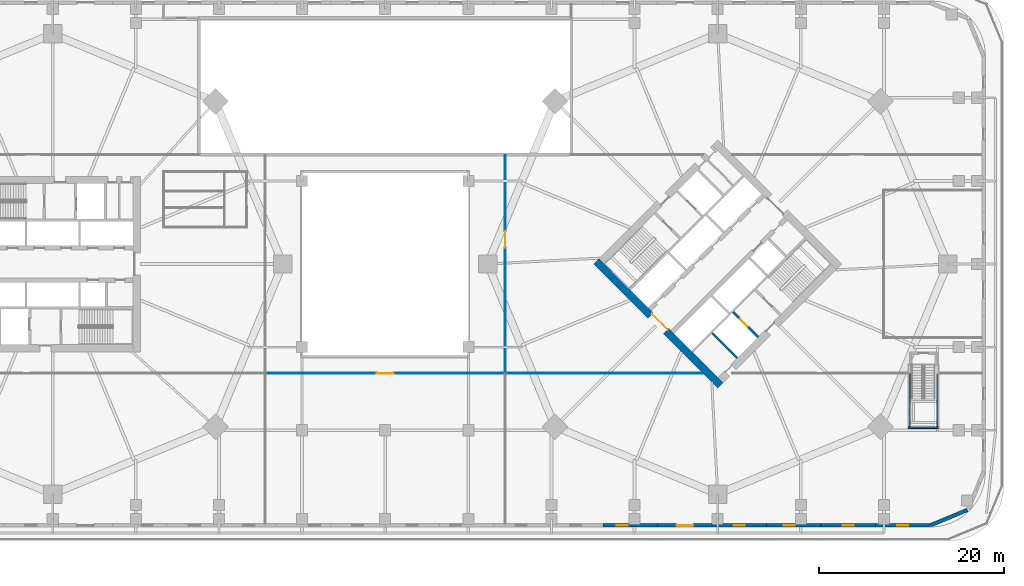
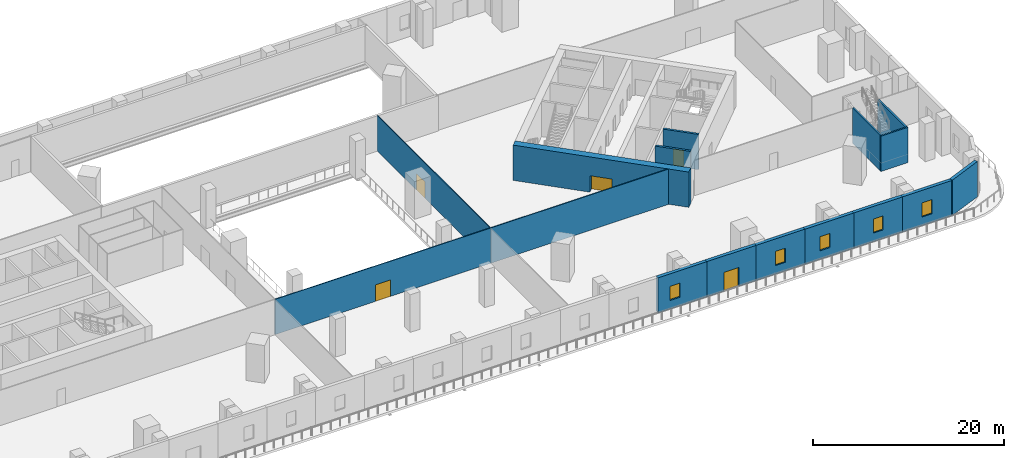
# One storey, part 8 of 17: 16 walls, 5 doors, 5 windows, 10 openings.
"""IFC4 building model written with IfcOpenShell, lengths in metres."""

from ifc_helpers import new_model, si_unit, direction, frame, frame_2d, origin, place, context, subcontext, project, spatial, rectangle, extrude, material, layer, layer_set, type_object, element, fill, save


model = new_model("IFC4")

# Units and contexts
model_context = context("Model", 3, precision=1e-05, world=origin(), true_north=direction((0.0, 1.0)))
body_context = subcontext(model_context, "Body", "Model", "MODEL_VIEW")
ifc_project = project(units=[si_unit("LENGTHUNIT", "METRE"), si_unit("AREAUNIT", "SQUARE_METRE"), si_unit("VOLUMEUNIT", "CUBIC_METRE"), si_unit("PLANEANGLEUNIT", "RADIAN"), si_unit("MASSUNIT", "GRAM", prefix="KILO")], contexts=[model_context])

# Site, building, storey
site_placement = place(None, origin())
site = spatial("IfcSite", under=ifc_project, at=site_placement, CompositionType="ELEMENT")
building_placement = place(site_placement, origin())
building = spatial("IfcBuilding", under=site, at=building_placement, Name="Ogive Gate Towers", CompositionType="ELEMENT")
storey_placement = place(building_placement, frame((0.0, 0.0, 18.0)))
storey = spatial("IfcBuildingStorey", under=building, at=storey_placement, Name="L03", CompositionType="ELEMENT", Elevation=18.0)

# Wall, opening, door
ifc_material_1 = material(Name="Concrete C60/75", Category="concrete")
ifc_layer_1 = layer(ifc_material_1, 0.800048828125)
ifc_layer_set_1 = layer_set([ifc_layer_1], Name="Core wall 800 mm")
wall_type_1 = type_object("IfcWallType", Name="Core wall 800 mm", PredefinedType="SHEAR", material=ifc_layer_set_1)
wall_1_placement = place(storey_placement, frame((36.28271484375, -13.152099609375, 0.0), z_axis=(0.0, 0.0, 1.0), x_axis=(-0.707106781187, 0.707106781187, 0.0)))
wall_1 = element("IfcWall", 1, at=wall_1_placement, inside=storey, type_object=wall_type_1, Name="T2 L03 Core wall 800 mm", PredefinedType="SHEAR", context=body_context, shape_type="SweptSolid", body=[
    extrude(rectangle(XDim=18.999755859375, YDim=0.800048828125, at=frame_2d((9.5, 0.0))), origin(), (0.0, 0.0, 1.0), 4.5),
])
opening_1_placement = place(wall_1_placement, frame((8.300048828125, 0.0, 0.0)))
opening_1 = element("IfcOpeningElement", 2, at=opening_1_placement, cuts=wall_1, Name="Opening KD-T2-L03-01", PredefinedType="OPENING", context=body_context, shape_type="SweptSolid", body=[
    extrude(rectangle(XDim=2.39990234375, YDim=2.10009765625, at=frame_2d((1.199951171875, 1.050048828125))), frame((0.0, 0.41015625, 0.0), z_axis=(0.0, -1.0, 0.0), x_axis=(1.0, 0.0, 0.0)), (0.0, 0.0, 1.0), 0.820068359375),
])
ifc_material_2 = material(Name="Steel fire door", Category="steel")
door_type_1 = type_object("IfcDoorType", Name="Core double door FD60S 2400 x 2100", OperationType="DOUBLE_DOOR_SINGLE_SWING", PredefinedType="DOOR", material=ifc_material_2)
door_1_placement = place(opening_1_placement, origin())
door_1 = element("IfcDoor", 3, at=door_1_placement, inside=storey, type_object=door_type_1, Name="T2 L03 Core door double", OperationType="DOUBLE_DOOR_SINGLE_SWING", OverallHeight=2.10009765625, OverallWidth=2.39990234375, PredefinedType="DOOR", context=body_context, shape_type="SweptSolid", body=[
    extrude(rectangle(XDim=2.39990234375, YDim=2.10009765625, at=frame_2d((1.199951171875, 1.050048828125))), frame((0.0, -0.22509765625, 0.0), z_axis=(0.0, -1.0, 0.0), x_axis=(1.0, 0.0, 0.0)), (0.0, 0.0, 1.0), 0.050048828125),
])
fill(opening_1, door_1)

ifc_material_3 = material(Name="Gypsum board partition")
ifc_layer_2 = layer(ifc_material_3, 0.10009765625)
ifc_layer_set_2 = layer_set([ifc_layer_2], Name="Partition wall 100")
wall_type_2 = type_object("IfcWallType", Name="Partition wall 100", PredefinedType="PARTITIONING", material=ifc_layer_set_2)
wall_2_placement = place(storey_placement, frame((13.0, -11.800048828125, 0.0), z_axis=(0.0, 0.0, 1.0), x_axis=(0.0, 1.0, 0.0)))
wall_2 = element("IfcWall", 4, at=wall_2_placement, inside=storey, type_object=wall_type_2, Name="L03 partition 025", PredefinedType="PARTITIONING", context=body_context, shape_type="SweptSolid", body=[
    extrude(rectangle(XDim=23.60009765625, YDim=0.10009765625, at=frame_2d((11.800048828125, 0.0))), origin(), (0.0, 0.0, 1.0), 4.5),
])
opening_2_placement = place(wall_2_placement, frame((13.550048828125, 0.0, 0.0)))
opening_2 = element("IfcOpeningElement", 5, at=opening_2_placement, cuts=wall_2, Name="Opening PO184", PredefinedType="OPENING", context=body_context, shape_type="SweptSolid", body=[
    extrude(rectangle(XDim=1.800048828125, YDim=2.10009765625, at=frame_2d((0.89990234375, 1.050048828125))), frame((0.0, 0.06005859375, 0.0), z_axis=(0.0, -1.0, 0.0), x_axis=(1.0, 0.0, 0.0)), (0.0, 0.0, 1.0), 0.1201171875),
])
ifc_material_4 = material(Name="Timber door", Category="wood")
door_type_2 = type_object("IfcDoorType", Name="Double door 1800 x 2100", OperationType="NOTDEFINED", PredefinedType="DOOR", material=ifc_material_4)
door_2_placement = place(opening_2_placement, origin())
door_2 = element("IfcDoor", 6, at=door_2_placement, inside=storey, type_object=door_type_2, Name="Door PO184", OperationType="DOUBLE_DOOR_DOUBLE_SWING", OverallHeight=2.10009765625, OverallWidth=1.800048828125, PredefinedType="DOOR", context=body_context, shape_type="SweptSolid", body=[
    extrude(rectangle(XDim=1.800048828125, YDim=2.10009765625, at=frame_2d((0.89990234375, 1.050048828125))), frame((0.0, 0.02490234375, 0.0), z_axis=(0.0, -1.0, 0.0), x_axis=(1.0, 0.0, 0.0)), (0.0, 0.0, 1.0), 0.050048828125),
])
fill(opening_2, door_2)

wall_3_placement = place(storey_placement, frame((-13.0, -11.85009765625, 0.0), z_axis=(0.0, 0.0, 1.0), x_axis=(1.0, 0.0, 0.0)))
wall_3 = element("IfcWall", 7, at=wall_3_placement, inside=storey, type_object=wall_type_2, Name="L03 partition 026", PredefinedType="PARTITIONING", context=body_context, shape_type="SweptSolid", body=[
    extrude(rectangle(XDim=26.0, YDim=0.10009765625, at=frame_2d((13.0, 0.0))), origin(), (0.0, 0.0, 1.0), 4.5),
])
opening_3_placement = place(wall_3_placement, frame((12.10009765625, 0.0, 0.0)))
opening_3 = element("IfcOpeningElement", 8, at=opening_3_placement, cuts=wall_3, Name="Opening PO194", PredefinedType="OPENING", context=body_context, shape_type="SweptSolid", body=[
    extrude(rectangle(XDim=1.800048828125, YDim=2.10009765625, at=frame_2d((0.89990234375, 1.050048828125))), frame((0.0, 0.06005859375, 0.0), z_axis=(0.0, -1.0, 0.0), x_axis=(1.0, 0.0, 0.0)), (0.0, 0.0, 1.0), 0.1201171875),
])
door_3_placement = place(opening_3_placement, origin())
door_3 = element("IfcDoor", 9, at=door_3_placement, inside=storey, type_object=door_type_2, Name="Door PO194", OperationType="DOUBLE_DOOR_DOUBLE_SWING", OverallHeight=2.10009765625, OverallWidth=1.800048828125, PredefinedType="DOOR", context=body_context, shape_type="SweptSolid", body=[
    extrude(rectangle(XDim=1.800048828125, YDim=2.10009765625, at=frame_2d((0.89990234375, 1.050048828125))), frame((0.0, 0.02490234375, 0.0), z_axis=(0.0, -1.0, 0.0), x_axis=(1.0, 0.0, 0.0)), (0.0, 0.0, 1.0), 0.050048828125),
])
fill(opening_3, door_3)

# Walls
wall_4_placement = place(storey_placement, frame((13.0, -11.85009765625, 0.0), z_axis=(0.0, 0.0, 1.0), x_axis=(1.0, 0.0, 0.0)))
element("IfcWall", 10, at=wall_4_placement, inside=storey, type_object=wall_type_2, Name="L03 partition 029", PredefinedType="PARTITIONING", context=body_context, shape_type="SweptSolid", body=[
    extrude(rectangle(XDim=21.4150390625, YDim=0.10009765625, at=frame_2d((10.70751953125, 0.0))), origin(), (0.0, 0.0, 1.0), 4.5),
])
ifc_material_5 = material(Name="Precast concrete C40/50", Category="concrete")
ifc_layer_3 = layer(ifc_material_5, 0.39990234375)
ifc_layer_set_3 = layer_set([ifc_layer_3], Name="Podium wall 400")
wall_type_3 = type_object("IfcWallType", Name="Podium wall 400", PredefinedType="SOLIDWALL", material=ifc_layer_set_3)
wall_5_placement = place(storey_placement, frame((59.036865234375, -28.284912109375, 0.0), z_axis=(0.0, 0.0, 1.0), x_axis=(0.923854820772, 0.382743086333, 0.0)))
element("IfcWall", 11, at=wall_5_placement, inside=storey, type_object=wall_type_3, Name="Podium wall", PredefinedType="SOLIDWALL", context=body_context, shape_type="SweptSolid", body=[
    extrude(rectangle(XDim=4.31640625, YDim=0.39990234375, at=frame_2d((2.158203125, 0.0))), origin(), (0.0, 0.0, 1.0), 4.5),
])

# Wall, opening, window
wall_6_placement = place(storey_placement, frame((23.60009765625, -28.300048828125, 0.0), z_axis=(0.0, 0.0, 1.0), x_axis=(1.0, 0.0, 0.0)))
wall_6 = element("IfcWall", 12, at=wall_6_placement, inside=storey, type_object=wall_type_3, Name="Podium wall", PredefinedType="SOLIDWALL", context=body_context, shape_type="SweptSolid", body=[
    extrude(rectangle(XDim=5.89990234375, YDim=0.39990234375, at=frame_2d((2.949951171875, 0.0))), origin(), (0.0, 0.0, 1.0), 4.5),
])
opening_4_placement = place(wall_6_placement, frame((1.449951171875, 0.0, 1.10009765625)))
opening_4 = element("IfcOpeningElement", 13, at=opening_4_placement, cuts=wall_6, Name="Opening WN3", PredefinedType="OPENING", context=body_context, shape_type="SweptSolid", body=[
    extrude(rectangle(XDim=1.199951171875, YDim=1.800048828125, at=frame_2d((0.60009765625, 0.89990234375))), frame((0.0, 0.2099609375, 0.0), z_axis=(0.0, -1.0, 0.0), x_axis=(1.0, 0.0, 0.0)), (0.0, 0.0, 1.0), 0.419921875),
])
ifc_material_6 = material(Name="Clear glass", Category="glass")
window_type = type_object("IfcWindowType", Name="Podium window 1200 x 1800", PartitioningType="SINGLE_PANEL", PredefinedType="WINDOW", material=ifc_material_6)
window_1_placement = place(opening_4_placement, origin())
window_1 = element("IfcWindow", 14, at=window_1_placement, inside=storey, type_object=window_type, Name="Podium window", OverallHeight=1.800048828125, OverallWidth=1.199951171875, PartitioningType="SINGLE_PANEL", PredefinedType="WINDOW", context=body_context, shape_type="SweptSolid", body=[
    extrude(rectangle(XDim=1.199951171875, YDim=1.800048828125, at=frame_2d((0.60009765625, 0.89990234375))), frame((0.0, 0.030029296875, 0.0), z_axis=(0.0, -1.0, 0.0), x_axis=(1.0, 0.0, 0.0)), (0.0, 0.0, 1.0), 0.06005859375),
])
fill(opening_4, window_1)

# Wall, opening, door
wall_7_placement = place(storey_placement, frame((29.5, -28.300048828125, 0.0), z_axis=(0.0, 0.0, 1.0), x_axis=(1.0, 0.0, 0.0)))
wall_7 = element("IfcWall", 15, at=wall_7_placement, inside=storey, type_object=wall_type_3, Name="Podium wall", PredefinedType="SOLIDWALL", context=body_context, shape_type="SweptSolid", body=[
    extrude(rectangle(XDim=5.89990234375, YDim=0.39990234375, at=frame_2d((2.949951171875, 0.0))), origin(), (0.0, 0.0, 1.0), 4.5),
])
opening_5_placement = place(wall_7_placement, frame((2.050048828125, 0.0, 0.0)))
opening_5 = element("IfcOpeningElement", 16, at=opening_5_placement, cuts=wall_7, Name="Opening ED3-L03-06", PredefinedType="OPENING", context=body_context, shape_type="SweptSolid", body=[
    extrude(rectangle(XDim=1.800048828125, YDim=2.39990234375, at=frame_2d((0.89990234375, 1.199951171875))), frame((0.0, 0.2099609375, 0.0), z_axis=(0.0, -1.0, 0.0), x_axis=(1.0, 0.0, 0.0)), (0.0, 0.0, 1.0), 0.419921875),
])
ifc_material_7 = material(Name="Pale metal aluminium", Category="aluminium")
door_type_3 = type_object("IfcDoorType", Name="Terrace door 1800 x 2400", OperationType="DOUBLE_DOOR_SINGLE_SWING", PredefinedType="DOOR", material=ifc_material_7)
door_4_placement = place(opening_5_placement, origin())
door_4 = element("IfcDoor", 17, at=door_4_placement, inside=storey, type_object=door_type_3, Name="Exterior door", OperationType="SINGLE_SWING_LEFT", OverallHeight=2.39990234375, OverallWidth=1.800048828125, PredefinedType="DOOR", context=body_context, shape_type="SweptSolid", body=[
    extrude(rectangle(XDim=1.800048828125, YDim=2.39990234375, at=frame_2d((0.89990234375, 1.199951171875))), frame((0.0, 0.02490234375, 0.0), z_axis=(0.0, -1.0, 0.0), x_axis=(1.0, 0.0, 0.0)), (0.0, 0.0, 1.0), 0.050048828125),
])
fill(opening_5, door_4)

# Wall, opening, window
wall_8_placement = place(storey_placement, frame((35.39990234375, -28.300048828125, 0.0), z_axis=(0.0, 0.0, 1.0), x_axis=(1.0, 0.0, 0.0)))
wall_8 = element("IfcWall", 18, at=wall_8_placement, inside=storey, type_object=wall_type_3, Name="Podium wall", PredefinedType="SOLIDWALL", context=body_context, shape_type="SweptSolid", body=[
    extrude(rectangle(XDim=5.900146484375, YDim=0.39990234375, at=frame_2d((2.9501953125, 0.0))), origin(), (0.0, 0.0, 1.0), 4.5),
])
opening_6_placement = place(wall_8_placement, frame((2.35009765625, 0.0, 1.10009765625)))
opening_6 = element("IfcOpeningElement", 19, at=opening_6_placement, cuts=wall_8, Name="Opening WN3", PredefinedType="OPENING", context=body_context, shape_type="SweptSolid", body=[
    extrude(rectangle(XDim=1.199951171875, YDim=1.800048828125, at=frame_2d((0.60009765625, 0.89990234375))), frame((0.0, 0.2099609375, 0.0), z_axis=(0.0, -1.0, 0.0), x_axis=(1.0, 0.0, 0.0)), (0.0, 0.0, 1.0), 0.419921875),
])
window_2_placement = place(opening_6_placement, origin())
window_2 = element("IfcWindow", 20, at=window_2_placement, inside=storey, type_object=window_type, Name="Podium window", OverallHeight=1.800048828125, OverallWidth=1.199951171875, PartitioningType="SINGLE_PANEL", PredefinedType="WINDOW", context=body_context, shape_type="SweptSolid", body=[
    extrude(rectangle(XDim=1.199951171875, YDim=1.800048828125, at=frame_2d((0.60009765625, 0.89990234375))), frame((0.0, 0.030029296875, 0.0), z_axis=(0.0, -1.0, 0.0), x_axis=(1.0, 0.0, 0.0)), (0.0, 0.0, 1.0), 0.06005859375),
])
fill(opening_6, window_2)

wall_9_placement = place(storey_placement, frame((41.300048828125, -28.300048828125, 0.0), z_axis=(0.0, 0.0, 1.0), x_axis=(1.0, 0.0, 0.0)))
wall_9 = element("IfcWall", 21, at=wall_9_placement, inside=storey, type_object=wall_type_3, Name="Podium wall", PredefinedType="SOLIDWALL", context=body_context, shape_type="SweptSolid", body=[
    extrude(rectangle(XDim=5.89990234375, YDim=0.39990234375, at=frame_2d((2.949951171875, 0.0))), origin(), (0.0, 0.0, 1.0), 4.5),
])
opening_7_placement = place(wall_9_placement, frame((1.85009765625, 0.0, 1.10009765625)))
opening_7 = element("IfcOpeningElement", 22, at=opening_7_placement, cuts=wall_9, Name="Opening WN3", PredefinedType="OPENING", context=body_context, shape_type="SweptSolid", body=[
    extrude(rectangle(XDim=1.199951171875, YDim=1.800048828125, at=frame_2d((0.60009765625, 0.89990234375))), frame((0.0, 0.2099609375, 0.0), z_axis=(0.0, -1.0, 0.0), x_axis=(1.0, 0.0, 0.0)), (0.0, 0.0, 1.0), 0.419921875),
])
window_3_placement = place(opening_7_placement, origin())
window_3 = element("IfcWindow", 23, at=window_3_placement, inside=storey, type_object=window_type, Name="Podium window", OverallHeight=1.800048828125, OverallWidth=1.199951171875, PartitioningType="SINGLE_PANEL", PredefinedType="WINDOW", context=body_context, shape_type="SweptSolid", body=[
    extrude(rectangle(XDim=1.199951171875, YDim=1.800048828125, at=frame_2d((0.60009765625, 0.89990234375))), frame((0.0, 0.030029296875, 0.0), z_axis=(0.0, -1.0, 0.0), x_axis=(1.0, 0.0, 0.0)), (0.0, 0.0, 1.0), 0.06005859375),
])
fill(opening_7, window_3)

wall_10_placement = place(storey_placement, frame((47.199951171875, -28.300048828125, 0.0), z_axis=(0.0, 0.0, 1.0), x_axis=(1.0, 0.0, 0.0)))
wall_10 = element("IfcWall", 24, at=wall_10_placement, inside=storey, type_object=wall_type_3, Name="Podium wall", PredefinedType="SOLIDWALL", context=body_context, shape_type="SweptSolid", body=[
    extrude(rectangle(XDim=5.900146484375, YDim=0.39990234375, at=frame_2d((2.9501953125, 0.0))), origin(), (0.0, 0.0, 1.0), 4.5),
])
opening_8_placement = place(wall_10_placement, frame((2.35009765625, 0.0, 1.10009765625)))
opening_8 = element("IfcOpeningElement", 25, at=opening_8_placement, cuts=wall_10, Name="Opening WN3", PredefinedType="OPENING", context=body_context, shape_type="SweptSolid", body=[
    extrude(rectangle(XDim=1.199951171875, YDim=1.800048828125, at=frame_2d((0.60009765625, 0.89990234375))), frame((0.0, 0.2099609375, 0.0), z_axis=(0.0, -1.0, 0.0), x_axis=(1.0, 0.0, 0.0)), (0.0, 0.0, 1.0), 0.419921875),
])
window_4_placement = place(opening_8_placement, origin())
window_4 = element("IfcWindow", 26, at=window_4_placement, inside=storey, type_object=window_type, Name="Podium window", OverallHeight=1.800048828125, OverallWidth=1.199951171875, PartitioningType="SINGLE_PANEL", PredefinedType="WINDOW", context=body_context, shape_type="SweptSolid", body=[
    extrude(rectangle(XDim=1.199951171875, YDim=1.800048828125, at=frame_2d((0.60009765625, 0.89990234375))), frame((0.0, 0.030029296875, 0.0), z_axis=(0.0, -1.0, 0.0), x_axis=(1.0, 0.0, 0.0)), (0.0, 0.0, 1.0), 0.06005859375),
])
fill(opening_8, window_4)

wall_11_placement = place(storey_placement, frame((53.10009765625, -28.300048828125, 0.0), z_axis=(0.0, 0.0, 1.0), x_axis=(1.0, 0.0, 0.0)))
wall_11 = element("IfcWall", 27, at=wall_11_placement, inside=storey, type_object=wall_type_3, Name="Podium wall", PredefinedType="SOLIDWALL", context=body_context, shape_type="SweptSolid", body=[
    extrude(rectangle(XDim=5.89990234375, YDim=0.39990234375, at=frame_2d((2.949951171875, 0.0))), origin(), (0.0, 0.0, 1.0), 4.5),
])
opening_9_placement = place(wall_11_placement, frame((2.35009765625, 0.0, 1.10009765625)))
opening_9 = element("IfcOpeningElement", 28, at=opening_9_placement, cuts=wall_11, Name="Opening WN3", PredefinedType="OPENING", context=body_context, shape_type="SweptSolid", body=[
    extrude(rectangle(XDim=1.199951171875, YDim=1.800048828125, at=frame_2d((0.60009765625, 0.89990234375))), frame((0.0, 0.2099609375, 0.0), z_axis=(0.0, -1.0, 0.0), x_axis=(1.0, 0.0, 0.0)), (0.0, 0.0, 1.0), 0.419921875),
])
window_5_placement = place(opening_9_placement, origin())
window_5 = element("IfcWindow", 29, at=window_5_placement, inside=storey, type_object=window_type, Name="Podium window", OverallHeight=1.800048828125, OverallWidth=1.199951171875, PartitioningType="SINGLE_PANEL", PredefinedType="WINDOW", context=body_context, shape_type="SweptSolid", body=[
    extrude(rectangle(XDim=1.199951171875, YDim=1.800048828125, at=frame_2d((0.60009765625, 0.89990234375))), frame((0.0, 0.030029296875, 0.0), z_axis=(0.0, -1.0, 0.0), x_axis=(1.0, 0.0, 0.0)), (0.0, 0.0, 1.0), 0.06005859375),
])
fill(opening_9, window_5)

# Wall
ifc_layer_4 = layer(ifc_material_1, 0.25)
ifc_layer_set_4 = layer_set([ifc_layer_4], Name="Shaft wall 250 mm")
wall_type_4 = type_object("IfcWallType", Name="Shaft wall 250 mm", PredefinedType="SHEAR", material=ifc_layer_set_4)
wall_12_placement = place(storey_placement, frame((38.121337890625, -10.182373046875, 0.0), z_axis=(0.0, 0.0, 1.0), x_axis=(-0.707138693938, 0.707074866995, 0.0)))
element("IfcWall", 30, at=wall_12_placement, inside=storey, type_object=wall_type_4, Name="T2 L03 Shaft wall 250 mm", PredefinedType="SHEAR", context=body_context, shape_type="SweptSolid", body=[
    extrude(rectangle(XDim=3.824951171875, YDim=0.25, at=frame_2d((1.91259765625, 0.0))), origin(), (0.0, 0.0, 1.0), 4.5),
])

# Wall, opening, door
wall_13_placement = place(storey_placement, frame((40.384033203125, -7.919677734375, 0.0), z_axis=(0.0, 0.0, 1.0), x_axis=(-0.707074866995, 0.707138693938, 0.0)))
wall_13 = element("IfcWall", 31, at=wall_13_placement, inside=storey, type_object=wall_type_4, Name="T2 L03 Shaft wall 250 mm", PredefinedType="SHEAR", context=body_context, shape_type="SweptSolid", body=[
    extrude(rectangle(XDim=3.824951171875, YDim=0.25, at=frame_2d((1.91259765625, 0.0))), origin(), (0.0, 0.0, 1.0), 4.5),
])
opening_10_placement = place(wall_13_placement, frame((1.60009765625, 0.0, 0.0)))
opening_10 = element("IfcOpeningElement", 32, at=opening_10_placement, cuts=wall_13, Name="Opening LD-T2-L03-11", PredefinedType="OPENING", context=body_context, shape_type="SweptSolid", body=[
    extrude(rectangle(XDim=1.199951171875, YDim=2.10009765625, at=frame_2d((0.60009765625, 1.050048828125))), frame((0.0, 0.135009765625, 0.0), z_axis=(0.0, -1.0, 0.0), x_axis=(1.0, 0.0, 0.0)), (0.0, 0.0, 1.0), 0.27001953125),
])
ifc_material_8 = material(Name="Stainless steel landing door", Category="steel")
door_type_4 = type_object("IfcDoorType", Name="Landing door 1200 x 2100", OperationType="SLIDING_TO_LEFT", PredefinedType="DOOR", material=ifc_material_8)
door_5_placement = place(opening_10_placement, origin())
door_5 = element("IfcDoor", 33, at=door_5_placement, inside=storey, type_object=door_type_4, Name="T2 L03 Lift landing door FF2", OperationType="SLIDING_TO_LEFT", OverallHeight=2.10009765625, OverallWidth=1.199951171875, PredefinedType="DOOR", context=body_context, shape_type="SweptSolid", body=[
    extrude(rectangle(XDim=1.199951171875, YDim=2.10009765625, at=frame_2d((0.60009765625, 1.050048828125))), frame((0.0, 0.02490234375, 0.0), z_axis=(0.0, -1.0, 0.0), x_axis=(1.0, 0.0, 0.0)), (0.0, 0.0, 1.0), 0.050048828125),
])
fill(opening_10, door_5)

# Walls
ifc_material_9 = material(Name="Reinforced concrete C32/40", Category="concrete")
ifc_layer_5 = layer(ifc_material_9, 0.199951171875)
ifc_layer_set_5 = layer_set([ifc_layer_5], Name="Stair shaft wall 200")
wall_type_5 = type_object("IfcWallType", Name="Stair shaft wall 200", PredefinedType="SOLIDWALL", material=ifc_layer_set_5)
wall_14_placement = place(storey_placement, frame((56.64990234375, -17.719970703125, 0.0), z_axis=(0.0, 0.0, 1.0), x_axis=(1.0, 0.0, 0.0)))
element("IfcWall", 34, at=wall_14_placement, inside=storey, type_object=wall_type_5, Name="L03 stair shaft wall 009", PredefinedType="SOLIDWALL", context=body_context, shape_type="SweptSolid", body=[
    extrude(rectangle(XDim=3.25, YDim=0.199951171875, at=frame_2d((1.625, 0.0))), origin(), (0.0, 0.0, 1.0), 4.5),
])
for number, where, z_axis, x_axis, name in (
    (35, (56.75, -17.6201171875, 0.0), (0.0, 0.0, 1.0), (0.0, 1.0, 0.0), "L03 stair shaft wall 010"),
    (36, (59.800048828125, -17.6201171875, 0.0), (0.0, 0.0, 1.0), (0.0, 1.0, 0.0), "L03 stair shaft wall 011"),
):
    element("IfcWall", number, at=place(storey_placement, frame(where, z_axis=z_axis, x_axis=x_axis)), inside=storey, type_object=wall_type_5, Name=name, PredefinedType="SOLIDWALL", context=body_context, shape_type="SweptSolid", body=[
        extrude(rectangle(XDim=5.77001953125, YDim=0.199951171875, at=frame_2d((2.885009765625, 0.0))), origin(), (0.0, 0.0, 1.0), 4.5),
    ])

save(model, "model.ifc")
